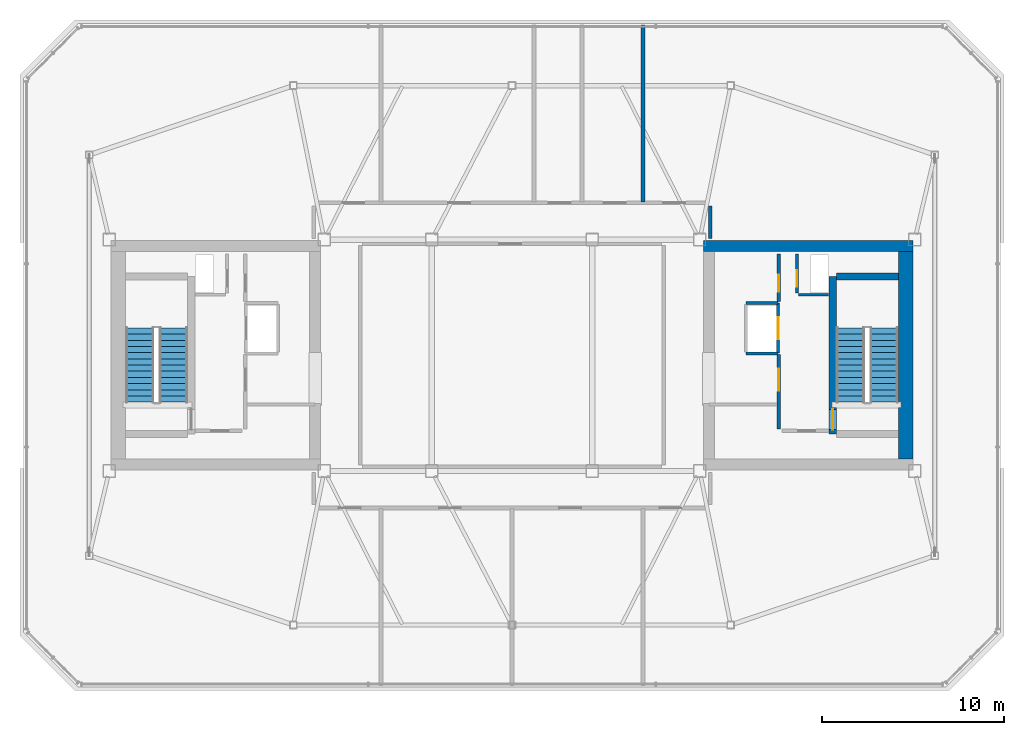
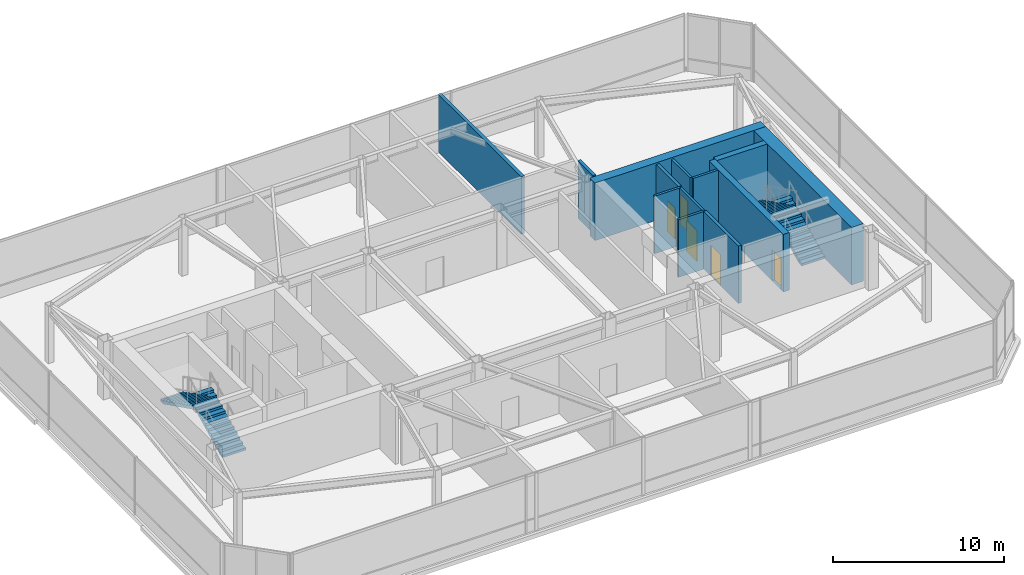
# One storey, part 19 of 22: 13 walls, 5 doors, 4 stair flights, 5 openings, 2 elements without a shape of their own.
"""IFC4 building model written with IfcOpenShell, lengths in metres."""

from ifc_helpers import new_model, si_unit, direction, frame, frame_2d, origin, place, context, subcontext, project, spatial, polyline, rectangle, outline, extrude, material, layer, layer_set, type_object, element, fill, aggregate, save


model = new_model("IFC4")

# Units and contexts
model_context = context("Model", 3, precision=1e-05, world=origin(), true_north=direction((0.0, 1.0)))
body_context = subcontext(model_context, "Body", "Model", "MODEL_VIEW")
ifc_project = project(units=[si_unit("LENGTHUNIT", "METRE"), si_unit("AREAUNIT", "SQUARE_METRE"), si_unit("VOLUMEUNIT", "CUBIC_METRE"), si_unit("PLANEANGLEUNIT", "RADIAN"), si_unit("MASSUNIT", "GRAM", prefix="KILO")], contexts=[model_context])

# Site, building, storey
site_placement = place(None, origin())
site = spatial("IfcSite", under=ifc_project, at=site_placement, CompositionType="ELEMENT")
building_placement = place(site_placement, origin())
building = spatial("IfcBuilding", under=site, at=building_placement, Name="Tavrogorsk Clinical Tower", CompositionType="ELEMENT")
storey_placement = place(building_placement, frame((0.0, 0.0, 339.800048828125)))
storey = spatial("IfcBuildingStorey", under=building, at=storey_placement, Name="L79", CompositionType="ELEMENT", Elevation=339.800048828125)

# Wall, opening, door
ifc_material_1 = material(Name="Concrete B60", Category="concrete")
ifc_layer_1 = layer(ifc_material_1, 0.199951171875)
ifc_layer_set_1 = layer_set([ifc_layer_1], Name="Concrete B60")
wall_type_1 = type_object("IfcWallType", Name="CoreFireWall_200", PredefinedType="SOLIDWALL", material=ifc_layer_set_1)
wall_1_placement = place(storey_placement, frame((14.639892578125, 2.9599609375, 0.0), z_axis=(0.0, 0.0, 1.0), x_axis=(0.0, 1.0, 0.0)))
wall_1 = element("IfcWall", 1, at=wall_1_placement, inside=storey, type_object=wall_type_1, Name="L79 Core East North Core Room East Wall", PredefinedType="SOLIDWALL", context=body_context, shape_type="SweptSolid", body=[
    extrude(rectangle(XDim=2.60009765625, YDim=0.199951171875, at=frame_2d((1.300048828125, 0.0))), origin(), (0.0, 0.0, 1.0), 4.099853515625),
])
opening_1_placement = place(wall_1_placement, frame((0.52001953125, 0.0, 0.0)))
opening_1 = element("IfcOpeningElement", 2, at=opening_1_placement, cuts=wall_1, Name="Opening ID-02", PredefinedType="OPENING", context=body_context, shape_type="SweptSolid", body=[
    extrude(rectangle(XDim=0.949951171875, YDim=2.199951171875, at=frame_2d((0.47509765625, 1.10009765625))), frame((0.0, 0.10986328125, 0.0), z_axis=(0.0, -1.0, 0.0), x_axis=(1.0, 0.0, 0.0)), (0.0, 0.0, 1.0), 0.219970703125),
])
ifc_material_2 = material(Name="Laminated timber leaf on aluminium frame", Category="wood")
door_type_1 = type_object("IfcDoorType", Name="InteriorDoor_ID02_950", OperationType="NOTDEFINED", PredefinedType="DOOR", material=ifc_material_2)
door_1_placement = place(opening_1_placement, origin())
door_1 = element("IfcDoor", 3, at=door_1_placement, inside=storey, type_object=door_type_1, Name="L79 Core East Core Telemetry Room Door", OperationType="SINGLE_SWING_LEFT", OverallHeight=2.199951171875, OverallWidth=0.949951171875, PredefinedType="DOOR", context=body_context, shape_type="SweptSolid", body=[
    extrude(rectangle(XDim=0.949951171875, YDim=2.199951171875, at=frame_2d((0.47509765625, 1.10009765625))), frame((0.0, 0.02490234375, 0.0), z_axis=(0.0, -1.0, 0.0), x_axis=(1.0, 0.0, 0.0)), (0.0, 0.0, 1.0), 0.050048828125),
])
fill(opening_1, door_1)

wall_2_placement = place(storey_placement, frame((14.639892578125, -4.034912109375, 0.0), z_axis=(0.0, 0.0, 1.0), x_axis=(0.0, 1.0, 0.0)))
wall_2 = element("IfcWall", 4, at=wall_2_placement, inside=storey, type_object=wall_type_1, Name="L79 Core East Firefighting Lobby Fire Wall", PredefinedType="SOLIDWALL", context=body_context, shape_type="SweptSolid", body=[
    extrude(rectangle(XDim=4.074951171875, YDim=0.199951171875, at=frame_2d((2.03759765625, 0.0))), origin(), (0.0, 0.0, 1.0), 4.099853515625),
])
opening_2_placement = place(wall_2_placement, frame((2.090087890625, 0.0, 0.0)))
opening_2 = element("IfcOpeningElement", 5, at=opening_2_placement, cuts=wall_2, Name="Opening FD-01", PredefinedType="OPENING", context=body_context, shape_type="SweptSolid", body=[
    extrude(rectangle(XDim=1.199951171875, YDim=2.199951171875, at=frame_2d((0.60009765625, 1.10009765625))), frame((0.0, 0.10986328125, 0.0), z_axis=(0.0, -1.0, 0.0), x_axis=(1.0, 0.0, 0.0)), (0.0, 0.0, 1.0), 0.219970703125),
])
ifc_material_3 = material(Name="Galvanised steel fire-rated door assembly", Category="steel")
door_type_2 = type_object("IfcDoorType", Name="FireDoor_FD01_1200", OperationType="NOTDEFINED", PredefinedType="DOOR", material=ifc_material_3)
door_2_placement = place(opening_2_placement, origin())
door_2 = element("IfcDoor", 6, at=door_2_placement, inside=storey, type_object=door_type_2, Name="L79 Core East Firefighting Lobby Entry Door", OperationType="SINGLE_SWING_RIGHT", OverallHeight=2.199951171875, OverallWidth=1.199951171875, PredefinedType="DOOR", context=body_context, shape_type="SweptSolid", body=[
    extrude(rectangle(XDim=1.199951171875, YDim=2.199951171875, at=frame_2d((0.60009765625, 1.10009765625))), frame((0.0, 0.02490234375, 0.0), z_axis=(0.0, -1.0, 0.0), x_axis=(1.0, 0.0, 0.0)), (0.0, 0.0, 1.0), 0.050048828125),
])
fill(opening_2, door_2)

# Walls
wall_3_placement = place(storey_placement, frame((10.8798828125, 8.195068359375, 0.0), z_axis=(0.0, 0.0, 1.0), x_axis=(0.0, -1.0, 0.0)))
element("IfcWall", 7, at=wall_3_placement, inside=storey, type_object=wall_type_1, Name="L79 Crown Corridor Wall 04", PredefinedType="SOLIDWALL", context=body_context, shape_type="SweptSolid", body=[
    extrude(rectangle(XDim=1.775146484375, YDim=0.199951171875, at=frame_2d((0.8876953125, 0.0))), origin(), (0.0, 0.0, 1.0), 4.099853515625),
])
ifc_material_4 = material(Name="Concrete B45", Category="concrete")
ifc_layer_2 = layer(ifc_material_4, 0.219970703125)
ifc_layer_set_2 = layer_set([ifc_layer_2], Name="Concrete B45")
wall_type_2 = type_object("IfcWallType", Name="PartitionWall_220", PredefinedType="SOLIDWALL", material=ifc_layer_set_2)
wall_4_placement = place(storey_placement, frame((7.199951171875, 8.405029296875, 0.0), z_axis=(0.0, 0.0, 1.0), x_axis=(0.0, 1.0, 0.0)))
element("IfcWall", 8, at=wall_4_placement, inside=storey, type_object=wall_type_2, Name="L79 Crown Partition 4", PredefinedType="SOLIDWALL", context=body_context, shape_type="SweptSolid", body=[
    extrude(rectangle(XDim=9.724853515625, YDim=0.219970703125, at=frame_2d((4.8623046875, 0.0))), origin(), (0.0, 0.0, 1.0), 4.099853515625),
])

# Wall, opening, door
ifc_material_5 = material(Name="Lightweight concrete blockwork B25", Category="masonry")
ifc_layer_3 = layer(ifc_material_5, 0.159912109375)
ifc_layer_set_3 = layer_set([ifc_layer_3], Name="Lightweight concrete blockwork B25")
wall_type_3 = type_object("IfcWallType", Name="ShaftWall_160", PredefinedType="PARTITIONING", material=ifc_layer_set_3)
wall_5_placement = place(storey_placement, frame((14.60009765625, 0.1201171875, 0.0), z_axis=(0.0, 0.0, 1.0), x_axis=(0.0, 1.0, 0.0)))
wall_5 = element("IfcWall", 9, at=wall_5_placement, inside=storey, type_object=wall_type_3, Name="L79 FFL-E Firefighting Lift Front Wall", PredefinedType="PARTITIONING", context=body_context, shape_type="SweptSolid", body=[
    extrude(rectangle(XDim=2.739990234375, YDim=0.159912109375, at=frame_2d((1.3701171875, 0.0))), origin(), (0.0, 0.0, 1.0), 4.099853515625),
])
opening_3_placement = place(wall_5_placement, frame((0.77001953125, 0.0, 0.0)))
opening_3 = element("IfcOpeningElement", 10, at=opening_3_placement, cuts=wall_5, Name="Opening LD", PredefinedType="OPENING", context=body_context, shape_type="SweptSolid", body=[
    extrude(rectangle(XDim=1.199951171875, YDim=2.199951171875, at=frame_2d((0.60009765625, 1.10009765625))), frame((0.0, 0.08984375, 0.0), z_axis=(0.0, -1.0, 0.0), x_axis=(1.0, 0.0, 0.0)), (0.0, 0.0, 1.0), 0.179931640625),
])
ifc_material_6 = material(Name="Brushed stainless steel AISI 304 sliding doors", Category="steel")
door_type_3 = type_object("IfcDoorType", Name="LiftLandingDoor_LD_1200", OperationType="SLIDING_TO_LEFT", PredefinedType="DOOR", material=ifc_material_6)
door_3_placement = place(opening_3_placement, origin())
door_3 = element("IfcDoor", 11, at=door_3_placement, inside=storey, type_object=door_type_3, Name="L79 FFL-E Sliding Lift Landing Door", OperationType="SLIDING_TO_LEFT", OverallHeight=2.199951171875, OverallWidth=1.199951171875, PredefinedType="DOOR", context=body_context, shape_type="SweptSolid", body=[
    extrude(rectangle(XDim=1.199951171875, YDim=2.199951171875, at=frame_2d((0.60009765625, 1.10009765625))), frame((0.0, 0.02490234375, 0.0), z_axis=(0.0, -1.0, 0.0), x_axis=(1.0, 0.0, 0.0)), (0.0, 0.0, 1.0), 0.050048828125),
])
fill(opening_3, door_3)

# Walls
for number, where, z_axis, x_axis, name in (
    (12, (12.840087890625, 0.10009765625, 0.0), (0.0, 0.0, 1.0), (1.0, 0.0, 0.0), "L79 FFL-E Shaft South Wall"),
    (13, (12.840087890625, 2.8798828125, 0.0), (0.0, 0.0, 1.0), (1.0, 0.0, 0.0), "L79 FFL-E Shaft North Wall"),
):
    element("IfcWall", number, at=place(storey_placement, frame(where, z_axis=z_axis, x_axis=x_axis)), inside=storey, type_object=wall_type_3, Name=name, PredefinedType="PARTITIONING", context=body_context, shape_type="SweptSolid", body=[
        extrude(rectangle(XDim=1.760009765625, YDim=0.159912109375, at=frame_2d((0.8798828125, 0.0))), origin(), (0.0, 0.0, 1.0), 4.099853515625),
    ])

# Wall, opening, door
wall_6_placement = place(storey_placement, frame((15.639892578125, 3.405029296875, 0.0), z_axis=(0.0, 0.0, 1.0), x_axis=(0.0, 1.0, 0.0)))
wall_6 = element("IfcWall", 14, at=wall_6_placement, inside=storey, type_object=wall_type_3, Name="L79 Core East Riser West Wall", PredefinedType="PARTITIONING", context=body_context, shape_type="SweptSolid", body=[
    extrude(rectangle(XDim=2.155029296875, YDim=0.159912109375, at=frame_2d((1.07763671875, 0.0))), origin(), (0.0, 0.0, 1.0), 4.099853515625),
])
opening_4_placement = place(wall_6_placement, frame((0.35009765625, 0.0, 0.0)))
opening_4 = element("IfcOpeningElement", 15, at=opening_4_placement, cuts=wall_6, Name="Opening FD-02", PredefinedType="OPENING", context=body_context, shape_type="SweptSolid", body=[
    extrude(rectangle(XDim=0.89990234375, YDim=2.199951171875, at=frame_2d((0.449951171875, 1.10009765625))), frame((0.0, 0.08984375, 0.0), z_axis=(0.0, -1.0, 0.0), x_axis=(1.0, 0.0, 0.0)), (0.0, 0.0, 1.0), 0.179931640625),
])
ifc_material_7 = material(Name="Galvanised steel fire-rated door assembly", Category="steel")
door_type_4 = type_object("IfcDoorType", Name="FireDoor_FD02_900", OperationType="NOTDEFINED", PredefinedType="DOOR", material=ifc_material_7)
door_4_placement = place(opening_4_placement, origin())
door_4 = element("IfcDoor", 16, at=door_4_placement, inside=storey, type_object=door_type_4, Name="L79 Core East Electrical Riser Access Door", OperationType="SINGLE_SWING_LEFT", OverallHeight=2.199951171875, OverallWidth=0.89990234375, PredefinedType="DOOR", context=body_context, shape_type="SweptSolid", body=[
    extrude(rectangle(XDim=0.89990234375, YDim=2.199951171875, at=frame_2d((0.449951171875, 1.10009765625))), frame((0.0, 0.02490234375, 0.0), z_axis=(0.0, -1.0, 0.0), x_axis=(1.0, 0.0, 0.0)), (0.0, 0.0, 1.0), 0.050048828125),
])
fill(opening_4, door_4)

# Wall
wall_7_placement = place(storey_placement, frame((15.72509765625, 3.320068359375, 0.0), z_axis=(0.0, 0.0, 1.0), x_axis=(1.0, 0.0, 0.0)))
element("IfcWall", 17, at=wall_7_placement, inside=storey, type_object=wall_type_3, Name="L79 Core East Riser South Wall", PredefinedType="PARTITIONING", context=body_context, shape_type="SweptSolid", body=[
    extrude(rectangle(XDim=1.65478515625, YDim=0.159912109375, at=frame_2d((0.827392578125, 0.0))), origin(), (0.0, 0.0, 1.0), 4.099853515625),
])

# Wall, opening, door
ifc_material_8 = material(Name="Concrete B80", Category="concrete")
ifc_layer_4 = layer(ifc_material_8, 0.39990234375)
ifc_layer_set_4 = layer_set([ifc_layer_4], Name="Concrete B80")
wall_type_4 = type_object("IfcWallType", Name="ShearWall_400", PredefinedType="SHEAR", material=ifc_layer_set_4)
wall_8_placement = place(storey_placement, frame((17.60009765625, -4.324951171875, 0.0), z_axis=(0.0, 0.0, 1.0), x_axis=(0.0, 1.0, 0.0)))
wall_8 = element("IfcWall", 18, at=wall_8_placement, inside=storey, type_object=wall_type_4, Name="L79 Core East Stair Shaft Inner Shear Wall", PredefinedType="SHEAR", context=body_context, shape_type="SweptSolid", body=[
    extrude(rectangle(XDim=8.64990234375, YDim=0.39990234375, at=frame_2d((4.324951171875, 0.0))), origin(), (0.0, 0.0, 1.0), 4.099853515625),
])
opening_5_placement = place(wall_8_placement, frame((0.25, 0.0, 0.0)))
opening_5 = element("IfcOpeningElement", 19, at=opening_5_placement, cuts=wall_8, Name="Opening SD-01", PredefinedType="OPENING", context=body_context, shape_type="SweptSolid", body=[
    extrude(rectangle(XDim=1.10009765625, YDim=2.199951171875, at=frame_2d((0.550048828125, 1.10009765625))), frame((0.0, 0.2099609375, 0.0), z_axis=(0.0, -1.0, 0.0), x_axis=(1.0, 0.0, 0.0)), (0.0, 0.0, 1.0), 0.419921875),
])
ifc_material_9 = material(Name="Galvanised steel smoke-tight fire door assembly", Category="steel")
door_type_5 = type_object("IfcDoorType", Name="StairFireDoor_SD01_1100", OperationType="NOTDEFINED", PredefinedType="DOOR", material=ifc_material_9)
door_5_placement = place(opening_5_placement, origin())
door_5 = element("IfcDoor", 20, at=door_5_placement, inside=storey, type_object=door_type_5, Name="L79 ST-E Exit Stair Door", OperationType="SINGLE_SWING_LEFT", OverallHeight=2.199951171875, OverallWidth=1.10009765625, PredefinedType="DOOR", context=body_context, shape_type="SweptSolid", body=[
    extrude(rectangle(XDim=1.10009765625, YDim=2.199951171875, at=frame_2d((0.550048828125, 1.10009765625))), frame((0.0, 0.02490234375, 0.0), z_axis=(0.0, -1.0, 0.0), x_axis=(1.0, 0.0, 0.0)), (0.0, 0.0, 1.0), 0.050048828125),
])
fill(opening_5, door_5)

# Walls
wall_9_placement = place(storey_placement, frame((17.800048828125, 4.324951171875, 0.0), z_axis=(0.0, 0.0, 1.0), x_axis=(1.0, 0.0, 0.0)))
element("IfcWall", 21, at=wall_9_placement, inside=storey, type_object=wall_type_4, Name="L79 Core East Stair Shaft North Shear Wall", PredefinedType="SHEAR", context=body_context, shape_type="SweptSolid", body=[
    extrude(rectangle(XDim=3.39990234375, YDim=0.39990234375, at=frame_2d((1.699951171875, 0.0))), origin(), (0.0, 0.0, 1.0), 4.099853515625),
])
ifc_material_10 = material(Name="Concrete B80", Category="concrete")
ifc_layer_5 = layer(ifc_material_10, 0.60009765625)
ifc_layer_set_5 = layer_set([ifc_layer_5], Name="Concrete B80")
wall_type_5 = type_object("IfcWallType", Name="ShearWall_600", PredefinedType="SHEAR", material=ifc_layer_set_5)
wall_10_placement = place(storey_placement, frame((10.5, 6.0, 0.0), z_axis=(0.0, 0.0, 1.0), x_axis=(1.0, 0.0, 0.0)))
element("IfcWall", 22, at=wall_10_placement, inside=storey, type_object=wall_type_5, Name="L79 Core East North Shear Wall", PredefinedType="SHEAR", context=body_context, shape_type="SweptSolid", body=[
    extrude(rectangle(XDim=11.5, YDim=0.60009765625, at=frame_2d((5.75, 0.0))), origin(), (0.0, 0.0, 1.0), 4.099853515625),
])
ifc_material_11 = material(Name="Concrete B80", Category="concrete")
ifc_layer_6 = layer(ifc_material_11, 0.800048828125)
ifc_layer_set_6 = layer_set([ifc_layer_6], Name="Concrete B80")
wall_type_6 = type_object("IfcWallType", Name="ShearWall_800", PredefinedType="SHEAR", material=ifc_layer_set_6)
wall_11_placement = place(storey_placement, frame((21.60009765625, -5.699951171875, 0.0), z_axis=(0.0, 0.0, 1.0), x_axis=(0.0, 1.0, 0.0)))
element("IfcWall", 23, at=wall_11_placement, inside=storey, type_object=wall_type_6, Name="L79 Core East End Shear Wall", PredefinedType="SHEAR", context=body_context, shape_type="SweptSolid", body=[
    extrude(rectangle(XDim=11.39990234375, YDim=0.800048828125, at=frame_2d((5.699951171875, 0.0))), origin(), (0.0, 0.0, 1.0), 4.099853515625),
])

# Stair, stair flights
ifc_material_12 = material(Name="Concrete B60", Category="concrete")
stair_type = type_object("IfcStairType", Name="CoreStairAssembly", PredefinedType="HALF_TURN_STAIR", material=ifc_material_12)
stair_1_placement = place(storey_placement, origin())
stair_1 = element("IfcStair", 24, at=stair_1_placement, inside=storey, type_object=stair_type, Name="L79 ST-W", PredefinedType="HALF_TURN_STAIR")
ifc_material_13 = material(Name="Concrete B60", Category="concrete")
stair_flight_type = type_object("IfcStairFlightType", Name="CoreStairFlight", PredefinedType="STRAIGHT", material=ifc_material_13)
stair_flight_1_placement = place(storey_placement, frame((-18.574951171875, -2.574951171875, 0.0), z_axis=(0.0, 0.0, 1.0), x_axis=(0.0, 1.0, 0.0)))
stair_flight_1 = element("IfcStairFlight", 25, at=stair_flight_1_placement, type_object=stair_flight_type, Name="ST-W flight 1", NumberOfRisers=13, NumberOfTreads=12, PredefinedType="STRAIGHT", RiserHeight=0.169230769, TreadLength=0.34, context=body_context, shape_type="SweptSolid", body=[
    extrude(outline(polyline([(0.0, 0.0), (0.0, 0.169189453125), (0.340087890625, 0.169189453125), (0.340087890625, 0.33837890625), (0.679931640625, 0.33837890625), (0.679931640625, 0.5078125), (1.02001953125, 0.5078125), (1.02001953125, 0.677001953125), (1.360107421875, 0.677001953125), (1.360107421875, 0.84619140625), (1.699951171875, 0.84619140625), (1.699951171875, 1.015380859375), (2.0400390625, 1.015380859375), (2.0400390625, 1.1845703125), (2.3798828125, 1.1845703125), (2.3798828125, 1.353759765625), (2.719970703125, 1.353759765625), (2.719970703125, 1.523193359375), (3.06005859375, 1.523193359375), (3.06005859375, 1.6923828125), (3.39990234375, 1.6923828125), (3.39990234375, 1.861572265625), (3.739990234375, 1.861572265625), (3.739990234375, 2.03076171875), (4.080078125, 2.03076171875), (4.080078125, 2.199951171875), (4.080078125, 1.86328125), (0.33642578125, 0.0), (0.0, 0.0)])), frame((0.0, 0.77490234375, 0.0), z_axis=(0.0, -1.0, 0.0), x_axis=(1.0, 0.0, 0.0)), (0.0, 0.0, 1.0), 1.550048828125),
])
stair_flight_2_placement = place(storey_placement, frame((-20.425048828125, 1.5048828125, 2.199951171875), z_axis=(0.0, 0.0, 1.0), x_axis=(0.0, -1.0, 0.0)))
stair_flight_2 = element("IfcStairFlight", 26, at=stair_flight_2_placement, type_object=stair_flight_type, Name="ST-W flight 2", NumberOfRisers=13, NumberOfTreads=12, PredefinedType="STRAIGHT", RiserHeight=0.169230769, TreadLength=0.34, context=body_context, shape_type="SweptSolid", body=[
    extrude(outline(polyline([(0.0, 0.0), (0.0, 0.169189453125), (0.340087890625, 0.169189453125), (0.340087890625, 0.33837890625), (0.679931640625, 0.33837890625), (0.679931640625, 0.5078125), (1.02001953125, 0.5078125), (1.02001953125, 0.677001953125), (1.360107421875, 0.677001953125), (1.360107421875, 0.84619140625), (1.699951171875, 0.84619140625), (1.699951171875, 1.015380859375), (2.0400390625, 1.015380859375), (2.0400390625, 1.1845703125), (2.3798828125, 1.1845703125), (2.3798828125, 1.353759765625), (2.719970703125, 1.353759765625), (2.719970703125, 1.523193359375), (3.06005859375, 1.523193359375), (3.06005859375, 1.6923828125), (3.39990234375, 1.6923828125), (3.39990234375, 1.861572265625), (3.739990234375, 1.861572265625), (3.739990234375, 2.03076171875), (4.080078125, 2.03076171875), (4.080078125, 2.199951171875), (4.080078125, 1.86328125), (0.33642578125, 0.0), (0.0, 0.0)])), frame((0.0, 0.77490234375, 0.0), z_axis=(0.0, -1.0, 0.0), x_axis=(1.0, 0.0, 0.0)), (0.0, 0.0, 1.0), 1.550048828125),
])
aggregate(stair_1, [stair_flight_1, stair_flight_2])

stair_2_placement = place(storey_placement, origin())
stair_2 = element("IfcStair", 27, at=stair_2_placement, inside=storey, type_object=stair_type, Name="L79 ST-E", PredefinedType="HALF_TURN_STAIR")
stair_flight_3_placement = place(storey_placement, frame((20.425048828125, -2.574951171875, 0.0), z_axis=(0.0, 0.0, 1.0), x_axis=(0.0, 1.0, 0.0)))
stair_flight_3 = element("IfcStairFlight", 28, at=stair_flight_3_placement, type_object=stair_flight_type, Name="ST-E flight 1", NumberOfRisers=13, NumberOfTreads=12, PredefinedType="STRAIGHT", RiserHeight=0.169230769, TreadLength=0.34, context=body_context, shape_type="SweptSolid", body=[
    extrude(outline(polyline([(0.0, 0.0), (0.0, 0.169189453125), (0.340087890625, 0.169189453125), (0.340087890625, 0.33837890625), (0.679931640625, 0.33837890625), (0.679931640625, 0.5078125), (1.02001953125, 0.5078125), (1.02001953125, 0.677001953125), (1.360107421875, 0.677001953125), (1.360107421875, 0.84619140625), (1.699951171875, 0.84619140625), (1.699951171875, 1.015380859375), (2.0400390625, 1.015380859375), (2.0400390625, 1.1845703125), (2.3798828125, 1.1845703125), (2.3798828125, 1.353759765625), (2.719970703125, 1.353759765625), (2.719970703125, 1.523193359375), (3.06005859375, 1.523193359375), (3.06005859375, 1.6923828125), (3.39990234375, 1.6923828125), (3.39990234375, 1.861572265625), (3.739990234375, 1.861572265625), (3.739990234375, 2.03076171875), (4.080078125, 2.03076171875), (4.080078125, 2.199951171875), (4.080078125, 1.86328125), (0.33642578125, 0.0), (0.0, 0.0)])), frame((0.0, 0.77490234375, 0.0), z_axis=(0.0, -1.0, 0.0), x_axis=(1.0, 0.0, 0.0)), (0.0, 0.0, 1.0), 1.550048828125),
])
stair_flight_4_placement = place(storey_placement, frame((18.574951171875, 1.5048828125, 2.199951171875), z_axis=(0.0, 0.0, 1.0), x_axis=(0.0, -1.0, 0.0)))
stair_flight_4 = element("IfcStairFlight", 29, at=stair_flight_4_placement, type_object=stair_flight_type, Name="ST-E flight 2", NumberOfRisers=13, NumberOfTreads=12, PredefinedType="STRAIGHT", RiserHeight=0.169230769, TreadLength=0.34, context=body_context, shape_type="SweptSolid", body=[
    extrude(outline(polyline([(0.0, 0.0), (0.0, 0.169189453125), (0.340087890625, 0.169189453125), (0.340087890625, 0.33837890625), (0.679931640625, 0.33837890625), (0.679931640625, 0.5078125), (1.02001953125, 0.5078125), (1.02001953125, 0.677001953125), (1.360107421875, 0.677001953125), (1.360107421875, 0.84619140625), (1.699951171875, 0.84619140625), (1.699951171875, 1.015380859375), (2.0400390625, 1.015380859375), (2.0400390625, 1.1845703125), (2.3798828125, 1.1845703125), (2.3798828125, 1.353759765625), (2.719970703125, 1.353759765625), (2.719970703125, 1.523193359375), (3.06005859375, 1.523193359375), (3.06005859375, 1.6923828125), (3.39990234375, 1.6923828125), (3.39990234375, 1.861572265625), (3.739990234375, 1.861572265625), (3.739990234375, 2.03076171875), (4.080078125, 2.03076171875), (4.080078125, 2.199951171875), (4.080078125, 1.86328125), (0.33642578125, 0.0), (0.0, 0.0)])), frame((0.0, 0.77490234375, 0.0), z_axis=(0.0, -1.0, 0.0), x_axis=(1.0, 0.0, 0.0)), (0.0, 0.0, 1.0), 1.550048828125),
])
aggregate(stair_2, [stair_flight_3, stair_flight_4])

save(model, "model.ifc")
